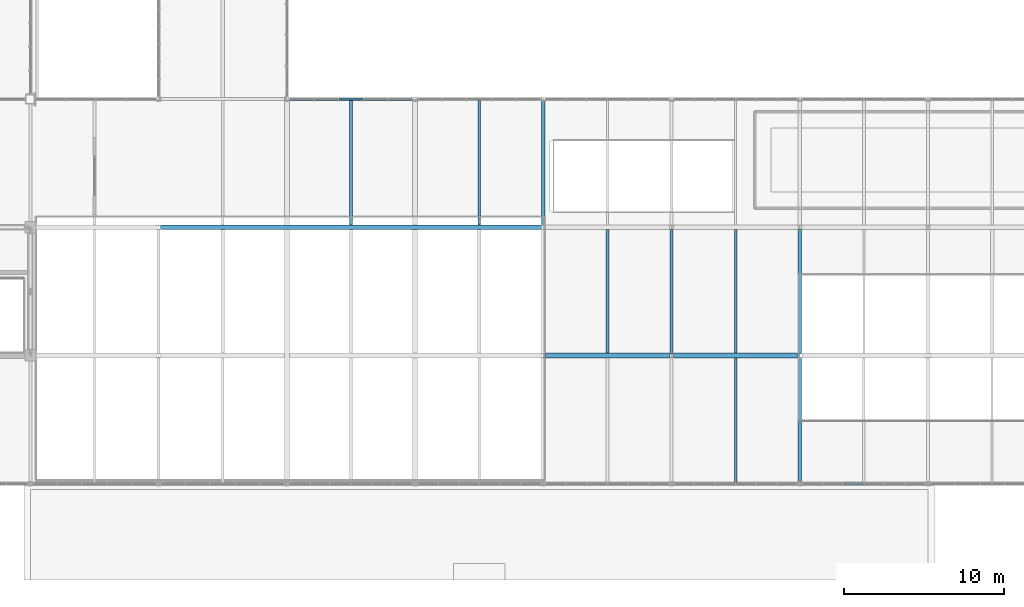
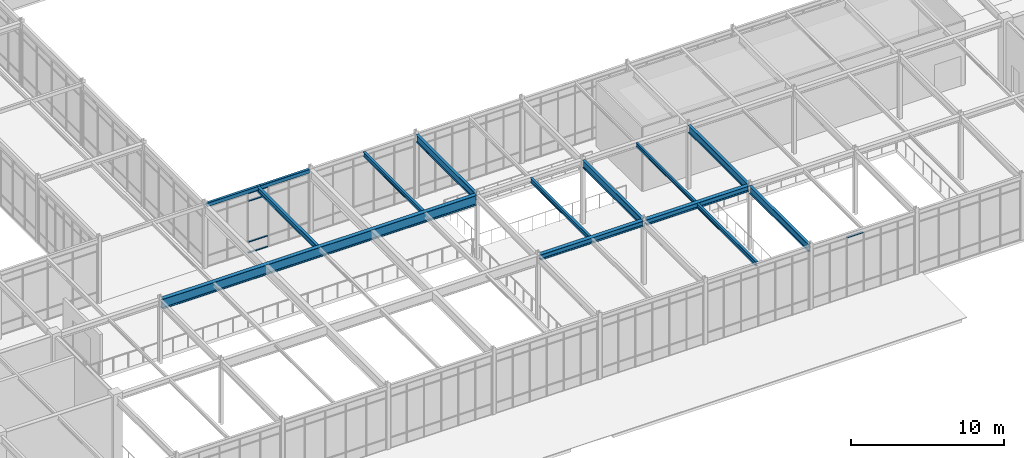
# One storey, part 48 of 184: 13 beams, 5 members, 2 elements without a shape of their own.
"""IFC4 building model written with IfcOpenShell, lengths in metres."""

from ifc_helpers import new_model, si_unit, direction, frame, origin, origin_2d, place, context, subcontext, project, spatial, rectangle, hollow_rectangle, i_section, extrude, material, material_profile, profile_set, type_object, element, aggregate, save


model = new_model("IFC4")

# Units and contexts
model_context = context("Model", 3, precision=1e-05, world=origin(), true_north=direction((0.0, 1.0)))
body_context = subcontext(model_context, "Body", "Model", "MODEL_VIEW")
ifc_project = project(units=[si_unit("LENGTHUNIT", "METRE"), si_unit("AREAUNIT", "SQUARE_METRE"), si_unit("VOLUMEUNIT", "CUBIC_METRE"), si_unit("PLANEANGLEUNIT", "RADIAN"), si_unit("MASSUNIT", "GRAM", prefix="KILO")], contexts=[model_context])

# Site, building, storey
site_placement = place(None, origin())
site = spatial("IfcSite", under=ifc_project, at=site_placement, CompositionType="ELEMENT")
building_placement = place(site_placement, origin())
building = spatial("IfcBuilding", under=site, at=building_placement, Name="Zhaolan Boulevard Law Courts", CompositionType="ELEMENT")
storey_placement = place(building_placement, frame((0.0, 0.0, 5.39990234375)))
storey = spatial("IfcBuildingStorey", under=building, at=storey_placement, Name="L01", CompositionType="ELEMENT", Elevation=5.39990234375)

# Curtain wall, member
ifc_material_1 = material(Name="Thermally broken aluminium and low-E glazing", Category="aluminium")
curtain_wall_type_1 = type_object("IfcCurtainWallType", Name="CURTAIN WALL M15", PredefinedType="USERDEFINED", material=ifc_material_1)
curtain_wall_1_placement = place(storey_placement, origin())
curtain_wall_1 = element("IfcCurtainWall", 1, at=curtain_wall_1_placement, inside=storey, type_object=curtain_wall_type_1, Name="Curtain Wall CW-L01-039", ObjectType="CURTAIN WALL", PredefinedType="USERDEFINED")
ifc_material_2 = material(Name="Fluorocarbon-coated aluminium 6063-T6", Category="aluminium")
ifc_material_profile_1 = material_profile(ifc_material_2, rectangle(XDim=0.139892578125, YDim=0.06494140625, at=origin_2d()), Name="AL65x140")
ifc_profile_set_1 = profile_set([ifc_material_profile_1], Name="Fluorocarbon-coated aluminium 6063-T6")
member_type = type_object("IfcMemberType", Name="CWTRANSOM 65X140", PredefinedType="USERDEFINED", material=ifc_profile_set_1)
member_1_placement = place(storey_placement, frame((94.741455078125, 6.0, 4.79052734375), z_axis=(1.0, 0.0, 0.0), x_axis=(0.0, 1.0, 0.0)))
member_1 = element("IfcMember", 2, at=member_1_placement, type_object=member_type, Name="CW-L01-039 transom 3.4", ObjectType="TRANSOM", PredefinedType="USERDEFINED", context=body_context, shape_type="SweptSolid", body=[
    extrude(rectangle(XDim=0.139892578125, YDim=0.06494140625, at=origin_2d()), origin(), (0.0, 0.0, 1.0), 1.22607421875),
])
aggregate(curtain_wall_1, [member_1])

# Curtain wall, members
ifc_material_3 = material(Name="Thermally broken aluminium and low-E glazing", Category="aluminium")
curtain_wall_type_2 = type_object("IfcCurtainWallType", Name="CURTAIN WALL M1", PredefinedType="USERDEFINED", material=ifc_material_3)
curtain_wall_2_placement = place(storey_placement, origin())
curtain_wall_2 = element("IfcCurtainWall", 3, at=curtain_wall_2_placement, inside=storey, type_object=curtain_wall_type_2, Name="Curtain Wall CW-L01-049", ObjectType="CURTAIN WALL", PredefinedType="USERDEFINED")
member_2_placement = place(storey_placement, frame((64.7421875, 30.0, 0.03271484375), z_axis=(-1.0, 0.0, 0.0), x_axis=(0.0, -1.0, 0.0)))
member_2 = element("IfcMember", 4, at=member_2_placement, type_object=member_type, Name="CW-L01-049 transom 3.1", ObjectType="TRANSOM", PredefinedType="USERDEFINED", context=body_context, shape_type="SweptSolid", body=[
    extrude(rectangle(XDim=0.139892578125, YDim=0.06494140625, at=origin_2d()), origin(), (0.0, 0.0, 1.0), 1.484375),
])
member_3_placement = place(storey_placement, frame((64.7421875, 30.0, 0.900146484375), z_axis=(-1.0, 0.0, 0.0), x_axis=(0.0, -1.0, 0.0)))
member_3 = element("IfcMember", 5, at=member_3_placement, type_object=member_type, Name="CW-L01-049 transom 3.2", ObjectType="TRANSOM", PredefinedType="USERDEFINED", context=body_context, shape_type="SweptSolid", body=[
    extrude(rectangle(XDim=0.139892578125, YDim=0.06494140625, at=origin_2d()), origin(), (0.0, 0.0, 1.0), 1.484375),
])
member_4_placement = place(storey_placement, frame((64.7421875, 30.0, 4.173095703125), z_axis=(-1.0, 0.0, 0.0), x_axis=(0.0, -1.0, 0.0)))
member_4 = element("IfcMember", 6, at=member_4_placement, type_object=member_type, Name="CW-L01-049 transom 3.3", ObjectType="TRANSOM", PredefinedType="USERDEFINED", context=body_context, shape_type="SweptSolid", body=[
    extrude(rectangle(XDim=0.139892578125, YDim=0.06494140625, at=origin_2d()), origin(), (0.0, 0.0, 1.0), 1.484375),
])
member_5_placement = place(storey_placement, frame((64.7421875, 30.0, 4.79052734375), z_axis=(-1.0, 0.0, 0.0), x_axis=(0.0, -1.0, 0.0)))
member_5 = element("IfcMember", 7, at=member_5_placement, type_object=member_type, Name="CW-L01-049 transom 3.4", ObjectType="TRANSOM", PredefinedType="USERDEFINED", context=body_context, shape_type="SweptSolid", body=[
    extrude(rectangle(XDim=0.139892578125, YDim=0.06494140625, at=origin_2d()), origin(), (0.0, 0.0, 1.0), 1.484375),
])
aggregate(curtain_wall_2, [member_2, member_3, member_4, member_5])

# Beams
ifc_material_4 = material(Name="Structural steel Q355B", Category="steel")
ifc_material_profile_2 = material_profile(ifc_material_4, i_section(OverallWidth=0.300048828125, OverallDepth=0.43994140625, WebThickness=0.010986328125, FlangeThickness=0.01806640625, FilletRadius=0.02001953125, at=origin_2d()), Name="HM440x300")
ifc_profile_set_2 = profile_set([ifc_material_profile_2], Name="Structural steel Q355B")
beam_type_1 = type_object("IfcBeamType", Name="GIRDER HM440", PredefinedType="BEAM", material=ifc_profile_set_2)
for number, where, z_axis, x_axis, name in (
    (8, (76.12109375, 14.0, 4.918212890625), (1.0, 0.0, 0.0), (0.0, 1.0, 0.0), "Beam BX-L02-10-11-C"),
    (9, (84.12109375, 14.0, 4.918212890625), (1.0, 0.0, 0.0), (0.0, 1.0, 0.0), "Beam BX-L02-11-12-C"),
):
    element("IfcBeam", number, at=place(storey_placement, frame(where, z_axis=z_axis, x_axis=x_axis)), inside=storey, type_object=beam_type_1, Name=name, PredefinedType="BEAM", context=body_context, shape_type="SweptSolid", body=[
        extrude(i_section(OverallWidth=0.300048828125, OverallDepth=0.43994140625, WebThickness=0.010986328125, FlangeThickness=0.01806640625, FilletRadius=0.02001953125, at=origin_2d()), origin(), (0.0, 0.0, 1.0), 7.7578125),
    ])
ifc_material_5 = material(Name="Structural steel Q355B", Category="steel")
ifc_material_profile_3 = material_profile(ifc_material_5, i_section(OverallWidth=0.199951171875, OverallDepth=0.60009765625, WebThickness=0.010986328125, FlangeThickness=0.01708984375, FilletRadius=0.02001953125, at=origin_2d()), Name="HN600x200")
ifc_profile_set_3 = profile_set([ifc_material_profile_3], Name="Structural steel Q355B")
beam_type_2 = type_object("IfcBeamType", Name="GIRDER HN600", PredefinedType="BEAM", material=ifc_profile_set_3)
for number, where, z_axis, x_axis, name in (
    (10, (76.0, 22.12109375, 4.838134765625), (0.0, 1.0, 0.0), (-1.0, 0.0, 0.0), "Beam BY-L02-10-D-E"),
    (11, (84.0, 14.12109375, 4.838134765625), (0.0, 1.0, 0.0), (-1.0, 0.0, 0.0), "Beam BY-L02-11-C-D"),
    (12, (92.0, 6.12109375, 4.838134765625), (0.0, 1.0, 0.0), (-1.0, 0.0, 0.0), "Beam BY-L02-12-B-C"),
    (13, (92.0, 14.12109375, 4.838134765625), (0.0, 1.0, 0.0), (-1.0, 0.0, 0.0), "Beam BY-L02-12-C-D"),
):
    element("IfcBeam", number, at=place(storey_placement, frame(where, z_axis=z_axis, x_axis=x_axis)), inside=storey, type_object=beam_type_2, Name=name, PredefinedType="BEAM", context=body_context, shape_type="SweptSolid", body=[
        extrude(i_section(OverallWidth=0.199951171875, OverallDepth=0.60009765625, WebThickness=0.010986328125, FlangeThickness=0.01708984375, FilletRadius=0.02001953125, at=origin_2d()), origin(), (0.0, 0.0, 1.0), 7.7578125),
    ])
ifc_material_6 = material(Name="Structural steel Q390B", Category="steel")
ifc_material_profile_4 = material_profile(ifc_material_6, i_section(OverallWidth=0.300048828125, OverallDepth=0.800048828125, WebThickness=0.013916015625, FlangeThickness=0.02587890625, FilletRadius=0.02392578125, at=origin_2d()), Name="HN800x300")
ifc_profile_set_4 = profile_set([ifc_material_profile_4], Name="Structural steel Q390B")
beam_type_3 = type_object("IfcBeamType", Name="GIRDER HN800", PredefinedType="BEAM", material=ifc_profile_set_4)
beam_1_placement = place(storey_placement, frame((52.12109375, 22.0, 4.738037109375), z_axis=(1.0, 0.0, 0.0), x_axis=(0.0, 1.0, 0.0)))
element("IfcBeam", 14, at=beam_1_placement, inside=storey, type_object=beam_type_3, Name="Beam BX-L02-7-10-D", PredefinedType="BEAM", context=body_context, shape_type="SweptSolid", body=[
    extrude(i_section(OverallWidth=0.300048828125, OverallDepth=0.800048828125, WebThickness=0.013916015625, FlangeThickness=0.02587890625, FilletRadius=0.02392578125, at=origin_2d()), origin(), (0.0, 0.0, 1.0), 23.7578125),
])
ifc_material_7 = material(Name="Structural steel Q355B", Category="steel")
ifc_material_profile_5 = material_profile(ifc_material_7, i_section(OverallWidth=0.14990234375, OverallDepth=0.300048828125, WebThickness=0.006591796875, FlangeThickness=0.009033203125, FilletRadius=0.010986328125, at=origin_2d()), Name="HN300x150")
ifc_profile_set_5 = profile_set([ifc_material_profile_5], Name="Structural steel Q355B")
beam_type_4 = type_object("IfcBeamType", Name="JOIST HN300", PredefinedType="JOIST", material=ifc_profile_set_5)
beam_2_placement = place(storey_placement, frame((88.0, 14.14599609375, 4.988037109375), z_axis=(0.0, 1.0, 0.0), x_axis=(-1.0, 0.0, 0.0)))
element("IfcBeam", 15, at=beam_2_placement, inside=storey, type_object=beam_type_4, Name="Composite Joist J-L02-11C", PredefinedType="JOIST", context=body_context, shape_type="SweptSolid", body=[
    extrude(i_section(OverallWidth=0.14990234375, OverallDepth=0.300048828125, WebThickness=0.006591796875, FlangeThickness=0.009033203125, FilletRadius=0.010986328125, at=origin_2d()), origin(), (0.0, 0.0, 1.0), 7.7080078125),
])
ifc_material_8 = material(Name="Structural steel Q355B", Category="steel")
ifc_material_profile_6 = material_profile(ifc_material_8, i_section(OverallWidth=0.175048828125, OverallDepth=0.35009765625, WebThickness=0.007080078125, FlangeThickness=0.010986328125, FilletRadius=0.012939453125, at=origin_2d()), Name="HN350x175")
ifc_profile_set_6 = profile_set([ifc_material_profile_6], Name="Structural steel Q355B")
beam_type_5 = type_object("IfcBeamType", Name="JOIST HN350", PredefinedType="JOIST", material=ifc_profile_set_6)
beam_3_placement = place(storey_placement, frame((72.0, 22.14599609375, 4.963134765625), z_axis=(0.0, 1.0, 0.0), x_axis=(-1.0, 0.0, 0.0)))
element("IfcBeam", 16, at=beam_3_placement, inside=storey, type_object=beam_type_5, Name="Composite Joist J-L02-9D", PredefinedType="JOIST", context=body_context, shape_type="SweptSolid", body=[
    extrude(i_section(OverallWidth=0.175048828125, OverallDepth=0.35009765625, WebThickness=0.007080078125, FlangeThickness=0.010986328125, FilletRadius=0.012939453125, at=origin_2d()), origin(), (0.0, 0.0, 1.0), 7.758056640625),
])
beam_4_placement = place(storey_placement, frame((80.0, 14.14599609375, 4.963134765625), z_axis=(0.0, 1.0, 0.0), x_axis=(-1.0, 0.0, 0.0)))
element("IfcBeam", 17, at=beam_4_placement, inside=storey, type_object=beam_type_5, Name="Composite Joist J-L02-10C", PredefinedType="JOIST", context=body_context, shape_type="SweptSolid", body=[
    extrude(i_section(OverallWidth=0.175048828125, OverallDepth=0.35009765625, WebThickness=0.007080078125, FlangeThickness=0.010986328125, FilletRadius=0.012939453125, at=origin_2d()), origin(), (0.0, 0.0, 1.0), 7.7080078125),
])
beam_5_placement = place(storey_placement, frame((88.0, 6.095947265625, 4.963134765625), z_axis=(0.0, 1.0, 0.0), x_axis=(-1.0, 0.0, 0.0)))
element("IfcBeam", 18, at=beam_5_placement, inside=storey, type_object=beam_type_5, Name="Composite Joist J-L02-11B", PredefinedType="JOIST", context=body_context, shape_type="SweptSolid", body=[
    extrude(i_section(OverallWidth=0.175048828125, OverallDepth=0.35009765625, WebThickness=0.007080078125, FlangeThickness=0.010986328125, FilletRadius=0.012939453125, at=origin_2d()), origin(), (0.0, 0.0, 1.0), 7.758056640625),
])
ifc_material_9 = material(Name="Structural steel Q355B", Category="steel")
ifc_material_profile_7 = material_profile(ifc_material_9, i_section(OverallWidth=0.199951171875, OverallDepth=0.39990234375, WebThickness=0.008056640625, FlangeThickness=0.012939453125, FilletRadius=0.013916015625, at=origin_2d()), Name="HN400x200")
ifc_profile_set_7 = profile_set([ifc_material_profile_7], Name="Structural steel Q355B")
beam_type_6 = type_object("IfcBeamType", Name="JOIST HN400", PredefinedType="JOIST", material=ifc_profile_set_7)
beam_6_placement = place(storey_placement, frame((64.0, 22.14599609375, 4.93798828125), z_axis=(0.0, 1.0, 0.0), x_axis=(-1.0, 0.0, 0.0)))
element("IfcBeam", 19, at=beam_6_placement, inside=storey, type_object=beam_type_6, Name="Composite Joist J-L02-8D", PredefinedType="JOIST", context=body_context, shape_type="SweptSolid", body=[
    extrude(i_section(OverallWidth=0.199951171875, OverallDepth=0.39990234375, WebThickness=0.008056640625, FlangeThickness=0.012939453125, FilletRadius=0.013916015625, at=origin_2d()), origin(), (0.0, 0.0, 1.0), 7.758056640625),
])
ifc_material_10 = material(Name="Structural steel Q355B", Category="steel")
ifc_material_profile_8 = material_profile(ifc_material_10, hollow_rectangle(XDim=0.199951171875, YDim=0.300048828125, WallThickness=0.011962890625, InnerFilletRadius=0.011962890625, OuterFilletRadius=0.02392578125, at=origin_2d()), Name="HSS300x200x12")
ifc_profile_set_8 = profile_set([ifc_material_profile_8], Name="Structural steel Q355B")
beam_type_7 = type_object("IfcBeamType", Name="SPANDREL HSS300", PredefinedType="SPANDREL", material=ifc_profile_set_8)
beam_7_placement = place(storey_placement, frame((60.12109375, 30.0, 4.988037109375), z_axis=(1.0, 0.0, 0.0), x_axis=(0.0, 1.0, 0.0)))
element("IfcBeam", 20, at=beam_7_placement, inside=storey, type_object=beam_type_7, Name="Beam BX-L02-8-9-E", PredefinedType="SPANDREL", context=body_context, shape_type="SweptSolid", body=[
    extrude(hollow_rectangle(XDim=0.199951171875, YDim=0.300048828125, WallThickness=0.011962890625, InnerFilletRadius=0.011962890625, OuterFilletRadius=0.02392578125, at=origin_2d()), origin(), (0.0, 0.0, 1.0), 7.7578125),
])

save(model, "model.ifc")
